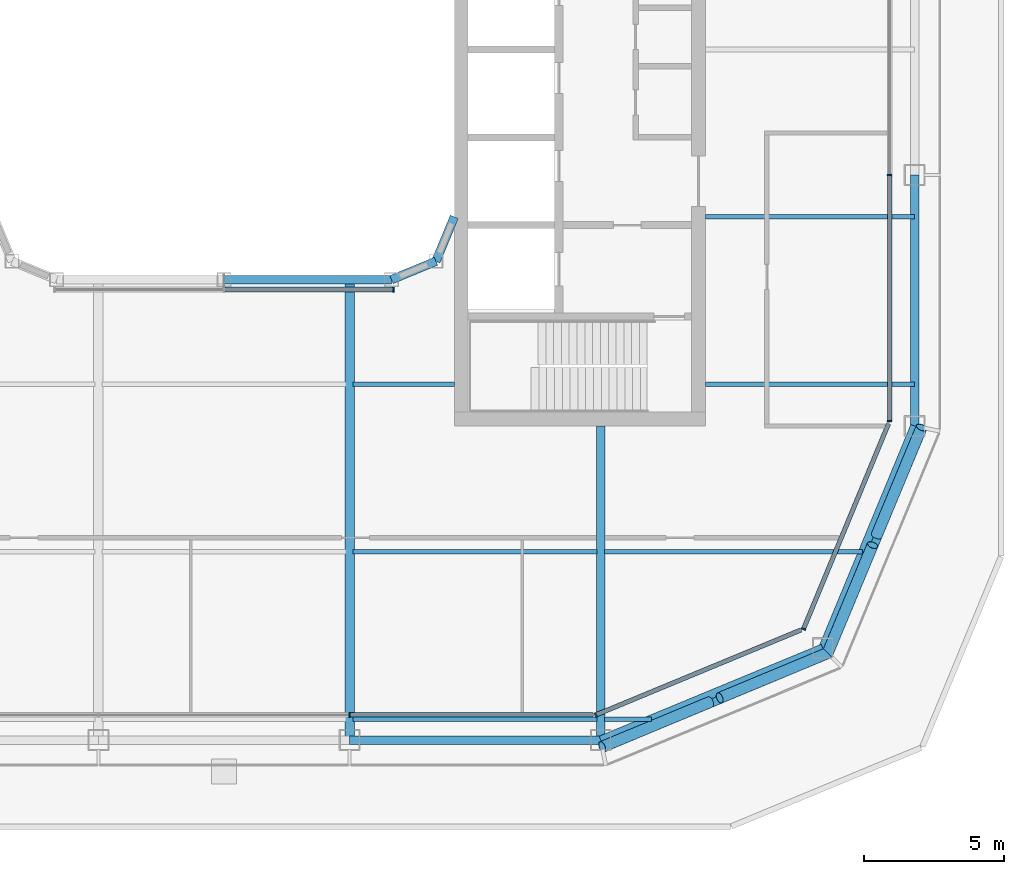
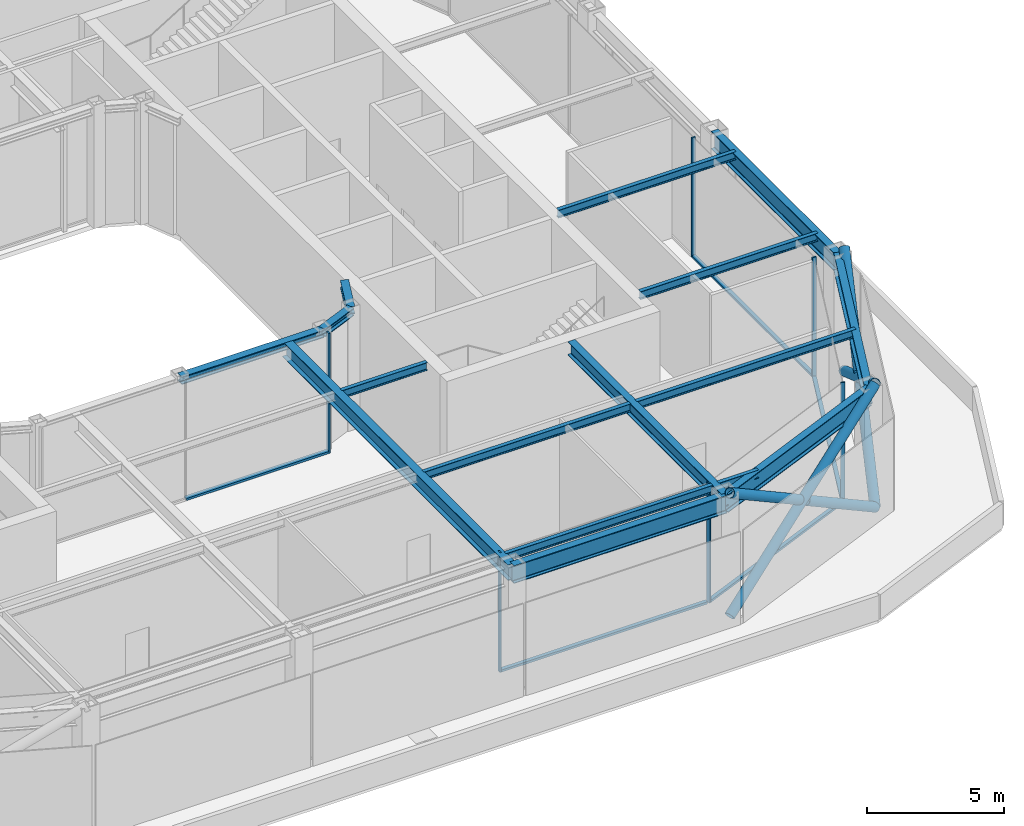
# One storey, part 4 of 17: 17 members, 16 beams, 5 elements without a shape of their own.
"""IFC4 building model written with IfcOpenShell, lengths in metres."""

from ifc_helpers import new_model, si_unit, direction, frame, origin, origin_2d, place, context, subcontext, project, spatial, rectangle, hollow_circle, i_section, extrude, material, layer, layer_set, material_profile, profile_set, type_object, element, aggregate, save


model = new_model("IFC4")

# Units and contexts
model_context = context("Model", 3, precision=1e-05, world=origin(), true_north=direction((0.0, 1.0)))
body_context = subcontext(model_context, "Body", "Model", "MODEL_VIEW")
ifc_project = project(units=[si_unit("LENGTHUNIT", "METRE"), si_unit("AREAUNIT", "SQUARE_METRE"), si_unit("VOLUMEUNIT", "CUBIC_METRE"), si_unit("PLANEANGLEUNIT", "RADIAN"), si_unit("MASSUNIT", "GRAM", prefix="KILO")], contexts=[model_context])

# Site, building, storey
site_placement = place(None, origin())
site = spatial("IfcSite", under=ifc_project, at=site_placement, CompositionType="ELEMENT")
building_placement = place(site_placement, origin())
building = spatial("IfcBuilding", under=site, at=building_placement, Name="Siwar Civic Tower", CompositionType="ELEMENT")
storey_placement = place(building_placement, frame((0.0, 0.0, 284.199951171875)))
storey = spatial("IfcBuildingStorey", under=building, at=storey_placement, Name="L61", CompositionType="ELEMENT", Elevation=284.199951171875)

# Curtain wall, member
ifc_material_1 = material(Name="Aluminium and glass", Category="aluminium")
ifc_layer_1 = layer(ifc_material_1, 0.159912109375)
ifc_layer_set_1 = layer_set([ifc_layer_1], Name="Aluminium and glass")
curtain_wall_type_1 = type_object("IfcCurtainWallType", Name="ENV-CW-D", PredefinedType="NOTDEFINED", material=ifc_layer_set_1)
curtain_wall_1_placement = place(storey_placement, origin())
curtain_wall_1 = element("IfcCurtainWall", 1, at=curtain_wall_1_placement, inside=storey, type_object=curtain_wall_type_1, Name="Curtain wall D S", PredefinedType="NOTDEFINED")
ifc_material_2 = material(Name="Aluminium 6063-T6", Category="aluminium")
ifc_material_profile_1 = material_profile(ifc_material_2, rectangle(XDim=0.159912109375, YDim=0.06005859375, at=origin_2d()), Name="AL 160x60")
ifc_profile_set_1 = profile_set([ifc_material_profile_1], Name="Aluminium 6063-T6")
member_type_1 = type_object("IfcMemberType", Name="ENV-MULLION-D", PredefinedType="MULLION", material=ifc_profile_set_1)
member_1_placement = place(storey_placement, frame((4.5, -23.85009765625, 0.0), z_axis=(0.0, 0.0, 1.0), x_axis=(0.0, 1.0, 0.0)))
member_1 = element("IfcMember", 2, at=member_1_placement, type_object=member_type_1, Name="Mullion D S 3", PredefinedType="MULLION", context=body_context, shape_type="SweptSolid", body=[
    extrude(rectangle(XDim=0.159912109375, YDim=0.06005859375, at=origin_2d()), origin(), (0.0, 0.0, 1.0), 5.35009765625),
])

ifc_material_3 = material(Name="Aluminium clad insulated panel", Category="aluminium")
ifc_layer_2 = layer(ifc_material_3, 0.159912109375)
ifc_layer_set_2 = layer_set([ifc_layer_2], Name="Aluminium clad insulated panel")
curtain_wall_type_2 = type_object("IfcCurtainWallType", Name="ENV-CW-DX", PredefinedType="NOTDEFINED", material=ifc_layer_set_2)
curtain_wall_2_placement = place(storey_placement, origin())
curtain_wall_2 = element("IfcCurtainWall", 3, at=curtain_wall_2_placement, inside=storey, type_object=curtain_wall_type_2, Name="Curtain wall D SE1", PredefinedType="NOTDEFINED")
member_2_placement = place(storey_placement, frame((13.321044921875, -23.85009765625, 0.0), z_axis=(0.0, 0.0, 1.0), x_axis=(-0.382683432365, 0.923879532511, 0.0)))
member_2 = element("IfcMember", 4, at=member_2_placement, type_object=member_type_1, Name="Mullion D SE1 1", PredefinedType="MULLION", context=body_context, shape_type="SweptSolid", body=[
    extrude(rectangle(XDim=0.159912109375, YDim=0.06005859375, at=origin_2d()), origin(), (0.0, 0.0, 1.0), 5.35009765625),
])

curtain_wall_3_placement = place(storey_placement, origin())
curtain_wall_3 = element("IfcCurtainWall", 5, at=curtain_wall_3_placement, inside=storey, type_object=curtain_wall_type_2, Name="Curtain wall D SE2", PredefinedType="NOTDEFINED")
member_3_placement = place(storey_placement, frame((20.76611328125, -20.76611328125, 0.0), z_axis=(0.0, 0.0, 1.0), x_axis=(-0.923879532511, 0.382683432365, 0.0)))
member_3 = element("IfcMember", 6, at=member_3_placement, type_object=member_type_1, Name="Mullion D SE2 1", PredefinedType="MULLION", context=body_context, shape_type="SweptSolid", body=[
    extrude(rectangle(XDim=0.159912109375, YDim=0.06005859375, at=origin_2d()), origin(), (0.0, 0.0, 1.0), 5.35009765625),
])

# Curtain wall, members
curtain_wall_4_placement = place(storey_placement, origin())
curtain_wall_4 = element("IfcCurtainWall", 7, at=curtain_wall_4_placement, inside=storey, type_object=curtain_wall_type_1, Name="Curtain wall D E", PredefinedType="NOTDEFINED")
member_4_placement = place(storey_placement, frame((23.85009765625, -13.321044921875, 0.0), z_axis=(0.0, 0.0, 1.0), x_axis=(-1.0, 0.0, 0.0)))
member_4 = element("IfcMember", 8, at=member_4_placement, type_object=member_type_1, Name="Mullion D E 1", PredefinedType="MULLION", context=body_context, shape_type="SweptSolid", body=[
    extrude(rectangle(XDim=0.159912109375, YDim=0.06005859375, at=origin_2d()), origin(), (0.0, 0.0, 1.0), 5.35009765625),
])
member_5_placement = place(storey_placement, frame((23.85009765625, -4.5, 0.0), z_axis=(0.0, 0.0, 1.0), x_axis=(-1.0, 0.0, 0.0)))
member_5 = element("IfcMember", 9, at=member_5_placement, type_object=member_type_1, Name="Mullion D E 2", PredefinedType="MULLION", context=body_context, shape_type="SweptSolid", body=[
    extrude(rectangle(XDim=0.159912109375, YDim=0.06005859375, at=origin_2d()), origin(), (0.0, 0.0, 1.0), 5.35009765625),
])

# Curtain wall, member
ifc_material_4 = material(Name="Aluminium and glass", Category="aluminium")
ifc_layer_3 = layer(ifc_material_4, 0.179931640625)
ifc_layer_set_3 = layer_set([ifc_layer_3], Name="Aluminium and glass")
curtain_wall_type_3 = type_object("IfcCurtainWallType", Name="ENV-CW-W", PredefinedType="NOTDEFINED", material=ifc_layer_set_3)
curtain_wall_5_placement = place(storey_placement, origin())
curtain_wall_5 = element("IfcCurtainWall", 10, at=curtain_wall_5_placement, inside=storey, type_object=curtain_wall_type_3, Name="Curtain wall W WS", PredefinedType="NOTDEFINED")
ifc_material_5 = material(Name="Aluminium 6063-T6", Category="aluminium")
ifc_material_profile_2 = material_profile(ifc_material_5, rectangle(XDim=0.179931640625, YDim=0.06005859375, at=origin_2d()), Name="AL 180x60")
ifc_profile_set_2 = profile_set([ifc_material_profile_2], Name="Aluminium 6063-T6")
member_type_2 = type_object("IfcMemberType", Name="ENV-MULLION-W", PredefinedType="MULLION", material=ifc_profile_set_2)
member_6_placement = place(storey_placement, frame((6.071533203125, -8.610107421875, 0.0), z_axis=(0.0, 0.0, 1.0), x_axis=(0.0, 1.0, 0.0)))
member_6 = element("IfcMember", 11, at=member_6_placement, type_object=member_type_2, Name="Mullion W WS 3", PredefinedType="MULLION", context=body_context, shape_type="SweptSolid", body=[
    extrude(rectangle(XDim=0.179931640625, YDim=0.06005859375, at=origin_2d()), origin(), (0.0, 0.0, 1.0), 5.35009765625),
])

# Member
ifc_material_6 = material(Name="Aluminium 6063-T6", Category="aluminium")
ifc_material_profile_3 = material_profile(ifc_material_6, rectangle(XDim=0.159912109375, YDim=0.10009765625, at=origin_2d()), Name="AL 160x100")
ifc_profile_set_3 = profile_set([ifc_material_profile_3], Name="Aluminium 6063-T6")
member_type_3 = type_object("IfcMemberType", Name="ENV-TRANSOM-D", PredefinedType="USERDEFINED", material=ifc_profile_set_3)
member_7_placement = place(storey_placement, frame((4.530029296875, -23.85009765625, 0.050048828125), z_axis=(1.0, 0.0, 0.0), x_axis=(0.0, 1.0, 0.0)))
member_7 = element("IfcMember", 12, at=member_7_placement, type_object=member_type_3, Name="Transom D S 3", ObjectType="TRANSOM", PredefinedType="USERDEFINED", context=body_context, shape_type="SweptSolid", body=[
    extrude(rectangle(XDim=0.159912109375, YDim=0.10009765625, at=origin_2d()), origin(), (0.0, 0.0, 1.0), 8.693115234375),
])

aggregate(curtain_wall_1, [member_1, member_7])

member_8_placement = place(storey_placement, frame((13.3486328125, -23.838623046875, 0.050048828125), z_axis=(0.923872756612, 0.382699790424, 0.0), x_axis=(-0.382699790424, 0.923872756612, 0.0)))
member_8 = element("IfcMember", 13, at=member_8_placement, type_object=member_type_3, Name="Transom D SE1 1", ObjectType="TRANSOM", PredefinedType="USERDEFINED", context=body_context, shape_type="SweptSolid", body=[
    extrude(rectangle(XDim=0.159912109375, YDim=0.10009765625, at=origin_2d()), origin(), (0.0, 0.0, 1.0), 7.930908203125),
])

aggregate(curtain_wall_2, [member_2, member_8])

member_9_placement = place(storey_placement, frame((20.777587890625, -20.738525390625, 0.050048828125), z_axis=(0.382673515031, 0.923883640343, 0.0), x_axis=(-0.923883640343, 0.382673515031, 0.0)))
member_9 = element("IfcMember", 14, at=member_9_placement, type_object=member_type_3, Name="Transom D SE2 1", ObjectType="TRANSOM", PredefinedType="USERDEFINED", context=body_context, shape_type="SweptSolid", body=[
    extrude(rectangle(XDim=0.159912109375, YDim=0.10009765625, at=origin_2d()), origin(), (0.0, 0.0, 1.0), 7.930908203125),
])

aggregate(curtain_wall_3, [member_3, member_9])

member_10_placement = place(storey_placement, frame((23.85009765625, -13.291015625, 0.050048828125), z_axis=(0.0, 1.0, 0.0), x_axis=(-1.0, 0.0, 0.0)))
member_10 = element("IfcMember", 15, at=member_10_placement, type_object=member_type_3, Name="Transom D E 1", ObjectType="TRANSOM", PredefinedType="USERDEFINED", context=body_context, shape_type="SweptSolid", body=[
    extrude(rectangle(XDim=0.159912109375, YDim=0.10009765625, at=origin_2d()), origin(), (0.0, 0.0, 1.0), 8.760986328125),
])

aggregate(curtain_wall_4, [member_4, member_5, member_10])

ifc_material_7 = material(Name="Aluminium 6063-T6", Category="aluminium")
ifc_material_profile_4 = material_profile(ifc_material_7, rectangle(XDim=0.179931640625, YDim=0.10009765625, at=origin_2d()), Name="AL 180x100")
ifc_profile_set_4 = profile_set([ifc_material_profile_4], Name="Aluminium 6063-T6")
member_type_4 = type_object("IfcMemberType", Name="ENV-TRANSOM-W", PredefinedType="USERDEFINED", material=ifc_profile_set_4)
member_11_placement = place(storey_placement, frame((0.030029296875, -8.610107421875, 0.050048828125), z_axis=(1.0, 0.0, 0.0), x_axis=(0.0, 1.0, 0.0)))
member_11 = element("IfcMember", 16, at=member_11_placement, type_object=member_type_4, Name="Transom W WS 2", ObjectType="TRANSOM", PredefinedType="USERDEFINED", context=body_context, shape_type="SweptSolid", body=[
    extrude(rectangle(XDim=0.179931640625, YDim=0.10009765625, at=origin_2d()), origin(), (0.0, 0.0, 1.0), 6.011474609375),
])

aggregate(curtain_wall_5, [member_6, member_11])

# Members
ifc_material_8 = material(Name="Steel S355", Category="steel")
ifc_material_profile_5 = material_profile(ifc_material_8, hollow_circle(Radius=0.203125, WallThickness=0.01611328125, at=origin_2d()), Name="CHS406.4x16")
ifc_profile_set_5 = profile_set([ifc_material_profile_5], Name="Steel S355")
member_type_5 = type_object("IfcMemberType", Name="STR-BR-CHS406.4x16", PredefinedType="BRACE", material=ifc_profile_set_5)
member_12_placement = place(storey_placement, frame((24.9951171875, -13.548828125, 0.0), z_axis=(-0.325297769627, -0.781791416726, 0.531961974025), x_axis=(0.923264922524, -0.384163874976, 0.0)))
element("IfcMember", 17, at=member_12_placement, inside=storey, type_object=member_type_5, Name="L61/brc/DSE1-0-0-1", PredefinedType="BRACE", context=body_context, shape_type="SweptSolid", body=[
    extrude(hollow_circle(Radius=0.203125, WallThickness=0.01611328125, at=origin_2d()), origin(), (0.0, 0.0, 1.0), 10.339111328125),
])
member_13_placement = place(storey_placement, frame((21.6318359375, -21.6318359375, 0.0), z_axis=(0.325283916312, 0.78178639759, 0.531977821278), x_axis=(-0.923269850454, 0.384152031417, 0.0)))
element("IfcMember", 18, at=member_13_placement, inside=storey, type_object=member_type_5, Name="L61/brc/DSE1-0-0-2", PredefinedType="BRACE", context=body_context, shape_type="SweptSolid", body=[
    extrude(hollow_circle(Radius=0.203125, WallThickness=0.01611328125, at=origin_2d()), origin(), (0.0, 0.0, 1.0), 4.94921875),
])
member_14_placement = place(storey_placement, frame((23.38525390625, -17.417724609375, 2.867431640625), z_axis=(0.325304998689, 0.781787733428, 0.531962966464), x_axis=(-0.923261252493, 0.38417269508, 0.0)))
element("IfcMember", 19, at=member_14_placement, inside=storey, type_object=member_type_5, Name="L61/brc/DSE1-0-0-3", PredefinedType="BRACE", context=body_context, shape_type="SweptSolid", body=[
    extrude(hollow_circle(Radius=0.203125, WallThickness=0.01611328125, at=origin_2d()), origin(), (0.0, 0.0, 1.0), 4.94873046875),
])
member_15_placement = place(storey_placement, frame((13.548828125, -24.9951171875, 0.0), z_axis=(0.781791416726, 0.325297769627, 0.531961974025), x_axis=(-0.384163874976, 0.923264922524, 0.0)))
element("IfcMember", 20, at=member_15_placement, inside=storey, type_object=member_type_5, Name="L61/brc/DSE1-0-0-0", PredefinedType="BRACE", context=body_context, shape_type="SweptSolid", body=[
    extrude(hollow_circle(Radius=0.203125, WallThickness=0.01611328125, at=origin_2d()), origin(), (0.0, 0.0, 1.0), 10.339111328125),
])
member_16_placement = place(storey_placement, frame((21.6318359375, -21.6318359375, 0.0), z_axis=(-0.78178639759, -0.325283916312, 0.531977821278), x_axis=(0.384152031417, -0.923269850454, 0.0)))
element("IfcMember", 21, at=member_16_placement, inside=storey, type_object=member_type_5, Name="L61/brc/DSE1-0-0-4", PredefinedType="BRACE", context=body_context, shape_type="SweptSolid", body=[
    extrude(hollow_circle(Radius=0.203125, WallThickness=0.01611328125, at=origin_2d()), origin(), (0.0, 0.0, 1.0), 4.94921875),
])
member_17_placement = place(storey_placement, frame((17.417724609375, -23.38525390625, 2.867431640625), z_axis=(-0.781787733428, -0.325304998689, 0.531962966464), x_axis=(0.38417269508, -0.923261252493, 0.0)))
element("IfcMember", 22, at=member_17_placement, inside=storey, type_object=member_type_5, Name="L61/brc/DSE1-0-0-5", PredefinedType="BRACE", context=body_context, shape_type="SweptSolid", body=[
    extrude(hollow_circle(Radius=0.203125, WallThickness=0.01611328125, at=origin_2d()), origin(), (0.0, 0.0, 1.0), 4.94873046875),
])

# Beams
ifc_material_9 = material(Name="Steel S355", Category="steel")
ifc_material_profile_6 = material_profile(ifc_material_9, i_section(OverallWidth=0.169921875, OverallDepth=0.360107421875, WebThickness=0.008056640625, FlangeThickness=0.0126953125, FilletRadius=0.01806640625, at=origin_2d()), Name="IPE360")
ifc_profile_set_6 = profile_set([ifc_material_profile_6], Name="Steel S355")
beam_type_1 = type_object("IfcBeamType", Name="STR-FB-IPE360", PredefinedType="JOIST", material=ifc_profile_set_6)
beam_1_placement = place(storey_placement, frame((4.6298828125, -24.0, 5.170166015625), z_axis=(1.0, 0.0, 0.0), x_axis=(0.0, 1.0, 0.0)))
element("IfcBeam", 23, at=beam_1_placement, inside=storey, type_object=beam_type_1, Name="L61/bm/F004", PredefinedType="JOIST", context=body_context, shape_type="SweptSolid", body=[
    extrude(i_section(OverallWidth=0.169921875, OverallDepth=0.360107421875, WebThickness=0.008056640625, FlangeThickness=0.0126953125, FilletRadius=0.01806640625, at=origin_2d()), origin(), (0.0, 0.0, 1.0), 8.740234375),
])
beam_2_placement = place(storey_placement, frame((13.6298828125, -24.0, 5.170166015625), z_axis=(1.0, 0.0, 0.0), x_axis=(0.0, 1.0, 0.0)))
element("IfcBeam", 24, at=beam_2_placement, inside=storey, type_object=beam_type_1, Name="L61/bm/F005", PredefinedType="JOIST", context=body_context, shape_type="SweptSolid", body=[
    extrude(i_section(OverallWidth=0.169921875, OverallDepth=0.360107421875, WebThickness=0.008056640625, FlangeThickness=0.0126953125, FilletRadius=0.01806640625, at=origin_2d()), origin(), (0.0, 0.0, 1.0), 1.6806640625),
])
beam_3_placement = place(storey_placement, frame((4.6298828125, -18.0, 5.170166015625), z_axis=(1.0, 0.0, 0.0), x_axis=(0.0, 1.0, 0.0)))
element("IfcBeam", 25, at=beam_3_placement, inside=storey, type_object=beam_type_1, Name="L61/bm/F009", PredefinedType="JOIST", context=body_context, shape_type="SweptSolid", body=[
    extrude(i_section(OverallWidth=0.169921875, OverallDepth=0.360107421875, WebThickness=0.008056640625, FlangeThickness=0.0126953125, FilletRadius=0.01806640625, at=origin_2d()), origin(), (0.0, 0.0, 1.0), 8.740234375),
])
beam_4_placement = place(storey_placement, frame((13.6298828125, -18.0, 5.170166015625), z_axis=(1.0, 0.0, 0.0), x_axis=(0.0, 1.0, 0.0)))
element("IfcBeam", 26, at=beam_4_placement, inside=storey, type_object=beam_type_1, Name="L61/bm/F010", PredefinedType="JOIST", context=body_context, shape_type="SweptSolid", body=[
    extrude(i_section(OverallWidth=0.169921875, OverallDepth=0.360107421875, WebThickness=0.008056640625, FlangeThickness=0.0126953125, FilletRadius=0.01806640625, at=origin_2d()), origin(), (0.0, 0.0, 1.0), 9.256103515625),
])
beam_5_placement = place(storey_placement, frame((4.6298828125, -12.0, 5.170166015625), z_axis=(1.0, 0.0, 0.0), x_axis=(0.0, 1.0, 0.0)))
element("IfcBeam", 27, at=beam_5_placement, inside=storey, type_object=beam_type_1, Name="L61/bm/F014", PredefinedType="JOIST", context=body_context, shape_type="SweptSolid", body=[
    extrude(i_section(OverallWidth=0.169921875, OverallDepth=0.360107421875, WebThickness=0.008056640625, FlangeThickness=0.0126953125, FilletRadius=0.01806640625, at=origin_2d()), origin(), (0.0, 0.0, 1.0), 3.6201171875),
])
for number, where, z_axis, x_axis, name in (
    (28, (17.25, -12.0, 5.170166015625), (1.0, 0.0, 0.0), (0.0, 1.0, 0.0), "L61/bm/F015"),
    (29, (17.25, -6.0, 5.170166015625), (1.0, 0.0, 0.0), (0.0, 1.0, 0.0), "L61/bm/F017"),
):
    element("IfcBeam", number, at=place(storey_placement, frame(where, z_axis=z_axis, x_axis=x_axis)), inside=storey, type_object=beam_type_1, Name=name, PredefinedType="JOIST", context=body_context, shape_type="SweptSolid", body=[
        extrude(i_section(OverallWidth=0.169921875, OverallDepth=0.360107421875, WebThickness=0.008056640625, FlangeThickness=0.0126953125, FilletRadius=0.01806640625, at=origin_2d()), origin(), (0.0, 0.0, 1.0), 7.5),
    ])
ifc_material_10 = material(Name="Steel S355", Category="steel")
ifc_material_profile_7 = material_profile(ifc_material_10, i_section(OverallWidth=0.300048828125, OverallDepth=0.60009765625, WebThickness=0.015380859375, FlangeThickness=0.030029296875, FilletRadius=0.027099609375, at=origin_2d()), Name="HEB600")
ifc_profile_set_7 = profile_set([ifc_material_profile_7], Name="Steel S355")
beam_type_2 = type_object("IfcBeamType", Name="STR-PG-HEB600", PredefinedType="BEAM", material=ifc_profile_set_7)
beam_6_placement = place(storey_placement, frame((13.5, -24.75, 5.050048828125), z_axis=(0.0, 1.0, 0.0), x_axis=(-1.0, 0.0, 0.0)))
element("IfcBeam", 30, at=beam_6_placement, inside=storey, type_object=beam_type_2, Name="L61/bm/G07", PredefinedType="BEAM", context=body_context, shape_type="SweptSolid", body=[
    extrude(i_section(OverallWidth=0.300048828125, OverallDepth=0.60009765625, WebThickness=0.015380859375, FlangeThickness=0.030029296875, FilletRadius=0.027099609375, at=origin_2d()), origin(), (0.0, 0.0, 1.0), 11.25),
])
ifc_material_11 = material(Name="Steel S355", Category="steel")
ifc_material_profile_8 = material_profile(ifc_material_11, i_section(OverallWidth=0.340087890625, OverallDepth=0.699951171875, WebThickness=0.013916015625, FlangeThickness=0.030029296875, at=origin_2d()), Name="PG700x340x14x30")
ifc_profile_set_8 = profile_set([ifc_material_profile_8], Name="Steel S355")
beam_type_3 = type_object("IfcBeamType", Name="STR-PG-PG700x340x14x30", PredefinedType="BEAM", material=ifc_profile_set_8)
beam_7_placement = place(storey_placement, frame((4.5, -24.75, 5.0), z_axis=(0.0, 1.0, 0.0), x_axis=(-1.0, 0.0, 0.0)))
element("IfcBeam", 31, at=beam_7_placement, inside=storey, type_object=beam_type_3, Name="L61/bm/G05", PredefinedType="BEAM", context=body_context, shape_type="SweptSolid", body=[
    extrude(i_section(OverallWidth=0.340087890625, OverallDepth=0.699951171875, WebThickness=0.013916015625, FlangeThickness=0.030029296875, at=origin_2d()), origin(), (0.0, 0.0, 1.0), 16.5),
])
ifc_material_12 = material(Name="Steel S355", Category="steel")
ifc_material_profile_9 = material_profile(ifc_material_12, i_section(OverallWidth=0.31005859375, OverallDepth=0.340087890625, WebThickness=0.02099609375, FlangeThickness=0.0390625, FilletRadius=0.027099609375, at=origin_2d()), Name="HEM300")
ifc_profile_set_9 = profile_set([ifc_material_profile_9], Name="Steel S355")
beam_type_4 = type_object("IfcBeamType", Name="STR-RB-HEM300", PredefinedType="BEAM", material=ifc_profile_set_9)
beam_8_placement = place(storey_placement, frame((0.0, -8.25, 5.179931640625), z_axis=(1.0, 0.0, 0.0), x_axis=(0.0, 1.0, 0.0)))
element("IfcBeam", 32, at=beam_8_placement, inside=storey, type_object=beam_type_4, Name="L61/bm/RS2", PredefinedType="BEAM", context=body_context, shape_type="SweptSolid", body=[
    extrude(i_section(OverallWidth=0.31005859375, OverallDepth=0.340087890625, WebThickness=0.02099609375, FlangeThickness=0.0390625, FilletRadius=0.027099609375, at=origin_2d()), origin(), (0.0, 0.0, 1.0), 6.0),
])
for number, where, z_axis, x_axis, name in (
    (33, (6.0, -8.25, 5.179931640625), (0.923901072997, 0.382631424892, 0.0), (-0.382631424892, 0.923901072997, 0.0), "L61/bm/RS3"),
    (34, (7.591064453125, -7.591064453125, 5.179931640625), (0.382631424892, 0.923901072997, 0.0), (-0.923901072997, 0.382631424892, 0.0), "L61/bm/RSEE"),
):
    element("IfcBeam", number, at=place(storey_placement, frame(where, z_axis=z_axis, x_axis=x_axis)), inside=storey, type_object=beam_type_4, Name=name, PredefinedType="BEAM", context=body_context, shape_type="SweptSolid", body=[
        extrude(i_section(OverallWidth=0.31005859375, OverallDepth=0.340087890625, WebThickness=0.02099609375, FlangeThickness=0.0390625, FilletRadius=0.027099609375, at=origin_2d()), origin(), (0.0, 0.0, 1.0), 1.72216796875),
    ])
ifc_material_13 = material(Name="Steel S355", Category="steel")
ifc_material_profile_10 = material_profile(ifc_material_13, i_section(OverallWidth=0.300048828125, OverallDepth=0.800048828125, WebThickness=0.017578125, FlangeThickness=0.032958984375, FilletRadius=0.030029296875, at=origin_2d()), Name="HEB800")
ifc_profile_set_10 = profile_set([ifc_material_profile_10], Name="Steel S355")
beam_type_5 = type_object("IfcBeamType", Name="STR-SB-HEB800", PredefinedType="BEAM", material=ifc_profile_set_10)
beam_9_placement = place(storey_placement, frame((4.5, -24.75, 4.949951171875), z_axis=(1.0, 0.0, 0.0), x_axis=(0.0, 1.0, 0.0)))
element("IfcBeam", 35, at=beam_9_placement, inside=storey, type_object=beam_type_5, Name="L61/bm/SS-2", PredefinedType="BEAM", context=body_context, shape_type="SweptSolid", body=[
    extrude(i_section(OverallWidth=0.300048828125, OverallDepth=0.800048828125, WebThickness=0.017578125, FlangeThickness=0.032958984375, FilletRadius=0.030029296875, at=origin_2d()), origin(), (0.0, 0.0, 1.0), 9.0),
])
for number, where, z_axis, x_axis, name in (
    (36, (13.5, -24.75, 4.949951171875), (0.923872720536, 0.382699877515, 0.0), (-0.382699877515, 0.923872720536, 0.0), "L61/bm/SSE1-0"),
    (37, (21.454833984375, -21.454833984375, 4.949951171875), (0.382699877515, 0.923872720536, 0.0), (-0.923872720536, 0.382699877515, 0.0), "L61/bm/SSE2-0"),
):
    element("IfcBeam", number, at=place(storey_placement, frame(where, z_axis=z_axis, x_axis=x_axis)), inside=storey, type_object=beam_type_5, Name=name, PredefinedType="BEAM", context=body_context, shape_type="SweptSolid", body=[
        extrude(i_section(OverallWidth=0.300048828125, OverallDepth=0.800048828125, WebThickness=0.017578125, FlangeThickness=0.032958984375, FilletRadius=0.030029296875, at=origin_2d()), origin(), (0.0, 0.0, 1.0), 8.6103515625),
    ])
beam_10_placement = place(storey_placement, frame((24.75, -13.5, 4.949951171875), z_axis=(0.0, 1.0, 0.0), x_axis=(-1.0, 0.0, 0.0)))
element("IfcBeam", 38, at=beam_10_placement, inside=storey, type_object=beam_type_5, Name="L61/bm/SE-0", PredefinedType="BEAM", context=body_context, shape_type="SweptSolid", body=[
    extrude(i_section(OverallWidth=0.300048828125, OverallDepth=0.800048828125, WebThickness=0.017578125, FlangeThickness=0.032958984375, FilletRadius=0.030029296875, at=origin_2d()), origin(), (0.0, 0.0, 1.0), 9.0),
])

save(model, "model.ifc")
